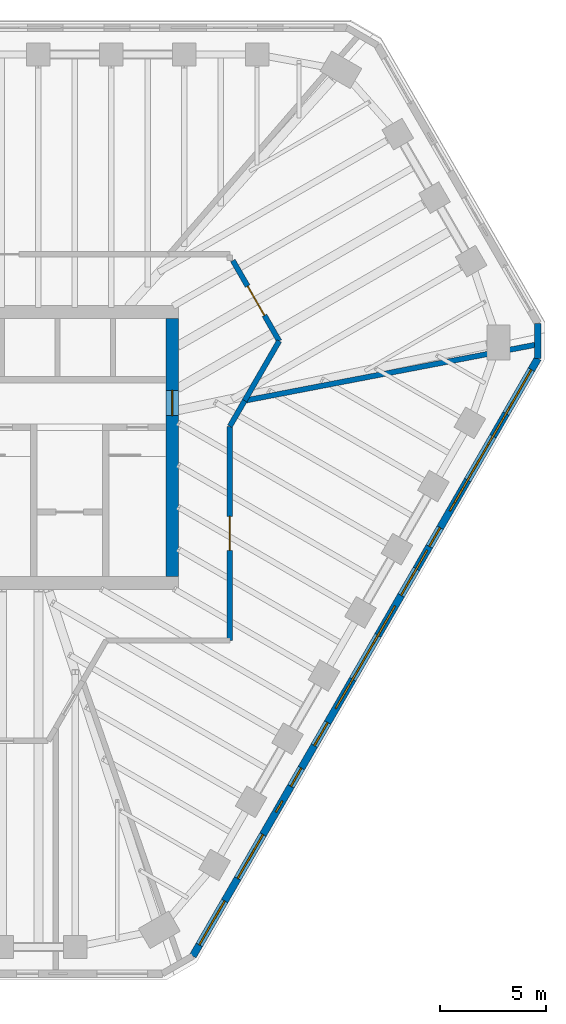
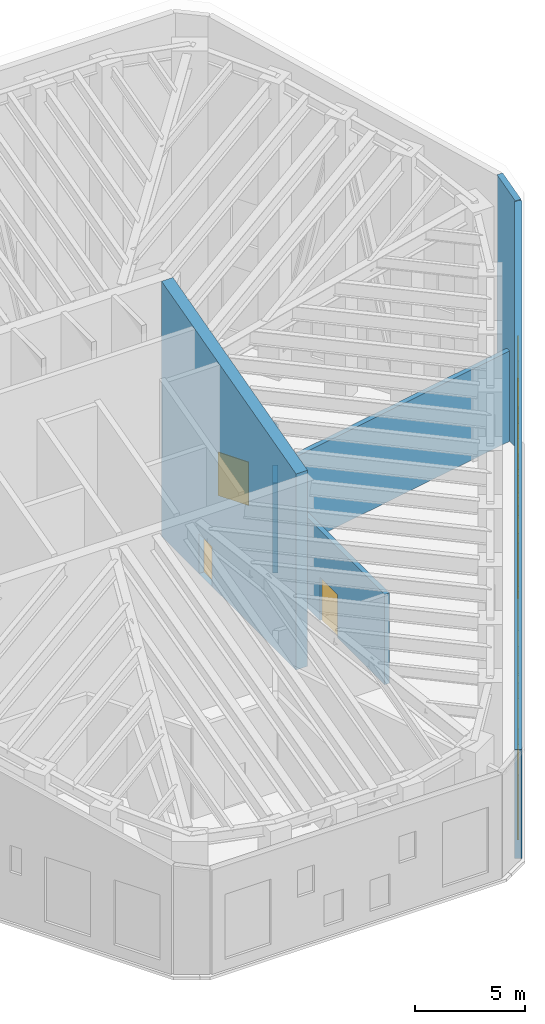
# One storey, part 6 of 9: 16 windows, 8 walls, 3 doors, 19 openings.
"""IFC4 building model written with IfcOpenShell, lengths in metres."""

from ifc_helpers import new_model, si_unit, direction, frame, frame_2d, origin, place, context, subcontext, project, spatial, polyline, rectangle, outline, extrude, material, layer, layer_set, type_object, element, fill, save


model = new_model("IFC4")

# Units and contexts
model_context = context("Model", 3, precision=1e-05, world=origin(), true_north=direction((0.0, 1.0)))
body_context = subcontext(model_context, "Body", "Model", "MODEL_VIEW")
ifc_project = project(units=[si_unit("LENGTHUNIT", "METRE"), si_unit("AREAUNIT", "SQUARE_METRE"), si_unit("VOLUMEUNIT", "CUBIC_METRE"), si_unit("PLANEANGLEUNIT", "RADIAN"), si_unit("MASSUNIT", "GRAM", prefix="KILO")], contexts=[model_context])

# Site, building, storey
site_placement = place(None, origin())
site = spatial("IfcSite", under=ifc_project, at=site_placement, CompositionType="ELEMENT")
building_placement = place(site_placement, origin())
building = spatial("IfcBuilding", under=site, at=building_placement, Name="Sandreach Pilgrim Tower", CompositionType="ELEMENT")
storey_placement = place(building_placement, frame((0.0, 0.0, 298.800048828125)))
storey = spatial("IfcBuildingStorey", under=building, at=storey_placement, Name="L75", CompositionType="ELEMENT", Elevation=298.800048828125)

# Wall, opening, door
ifc_material_1 = material(Name="Concrete 10000 psi", Category="concrete")
ifc_layer_1 = layer(ifc_material_1, 0.60009765625)
ifc_layer_set_1 = layer_set([ifc_layer_1], Name="Core wall 600")
wall_type_1 = type_object("IfcWallType", Name="Core wall 600", PredefinedType="SHEAR", material=ifc_layer_set_1)
wall_1_placement = place(storey_placement, frame((8.050048828125, -6.10009765625, 0.0), z_axis=(0.0, 0.0, 1.0), x_axis=(0.0, 1.0, 0.0)))
wall_1 = element("IfcWall", 1, at=wall_1_placement, inside=storey, type_object=wall_type_1, Name="Core wall E L75", PredefinedType="SHEAR", context=body_context, shape_type="SweptSolid", body=[
    extrude(outline(polyline([(0.0, 0.0), (12.2001953125, 0.0), (12.199951171875, 14.11669921875), (0.0, 10.84765625), (0.0, 0.0)])), frame((0.0, 0.300048828125, 0.0), z_axis=(0.0, -1.0, 0.0), x_axis=(1.0, 0.0, 0.0)), (0.0, 0.0, 1.0), 0.60009765625),
])
opening_1_placement = place(wall_1_placement, frame((7.60009765625, 0.0, 0.0)))
opening_1 = element("IfcOpeningElement", 2, at=opening_1_placement, cuts=wall_1, Name="Opening D12F-E", PredefinedType="OPENING", context=body_context, shape_type="SweptSolid", body=[
    extrude(rectangle(XDim=1.199951171875, YDim=2.199951171875, at=frame_2d((0.60009765625, 1.10009765625))), frame((0.0, 0.300048828125, 0.0), z_axis=(0.0, -1.0, 0.0), x_axis=(1.0, 0.0, 0.0)), (0.0, 0.0, 1.0), 0.60009765625),
])
ifc_material_2 = material(Name="Steel door and frame", Category="steel")
door_type_1 = type_object("IfcDoorType", Name="Fire lobby door", OperationType="SINGLE_SWING_LEFT", PredefinedType="DOOR", material=ifc_material_2)
door_1_placement = place(opening_1_placement, origin())
door_1 = element("IfcDoor", 3, at=door_1_placement, inside=storey, type_object=door_type_1, Name="Fire service lobby door E L75", OperationType="SINGLE_SWING_RIGHT", OverallHeight=2.199951171875, OverallWidth=1.199951171875, PredefinedType="DOOR", context=body_context, shape_type="SweptSolid", body=[
    extrude(rectangle(XDim=1.199951171875, YDim=2.199951171875, at=frame_2d((0.60009765625, 1.10009765625))), frame((0.0, 0.02490234375, 0.0), z_axis=(0.0, -1.0, 0.0), x_axis=(1.0, 0.0, 0.0)), (0.0, 0.0, 1.0), 0.050048828125),
])
fill(opening_1, door_1)

# Wall, openings, windows
ifc_material_3 = material(Name="Terracotta rainscreen on steel studs", Category="masonry")
ifc_layer_2 = layer(ifc_material_3, 0.35009765625)
ifc_layer_set_2 = layer_set([ifc_layer_2], Name="Crown screen wall")
wall_type_2 = type_object("IfcWallType", Name="Crown screen wall", PredefinedType="SOLIDWALL", material=ifc_layer_set_2)
wall_2_placement = place(storey_placement, frame((25.3193359375, 4.20166015625, 0.0), z_axis=(0.0, 0.0, 1.0), x_axis=(-0.499997560549, -0.866026812198, 0.0)))
wall_2 = element("IfcWall", 4, at=wall_2_placement, inside=storey, type_object=wall_type_2, Name="Crown screen wall L75 SE", PredefinedType="SOLIDWALL", context=body_context, shape_type="SweptSolid", body=[
    extrude(outline(polyline([(0.0, 0.0), (32.596923828125, 0.0), (32.5966796875, 6.0205078125), (0.0, 13.58447265625), (0.0, 0.0)])), frame((0.0, 0.175048828125, 0.0), z_axis=(0.0, -1.0, 0.0), x_axis=(1.0, 0.0, 0.0)), (0.0, 0.0, 1.0), 0.35009765625),
])
opening_2_placement = place(wall_2_placement, frame((0.61083984375, 0.0, 0.60009765625)))
opening_2 = element("IfcOpeningElement", 5, at=opening_2_placement, cuts=wall_2, Name="Opening WL2", PredefinedType="OPENING", context=body_context, shape_type="SweptSolid", body=[
    extrude(rectangle(XDim=2.39990234375, YDim=3.60009765625, at=frame_2d((1.199951171875, 1.800048828125))), frame((0.0, 0.18505859375, 0.0), z_axis=(0.0, -1.0, 0.0), x_axis=(1.0, 0.0, 0.0)), (0.0, 0.0, 1.0), 0.3701171875),
])
opening_3_placement = place(wall_2_placement, frame((4.23291015625, 0.0, 0.60009765625)))
opening_3 = element("IfcOpeningElement", 6, at=opening_3_placement, cuts=wall_2, Name="Opening WL2", PredefinedType="OPENING", context=body_context, shape_type="SweptSolid", body=[
    extrude(rectangle(XDim=2.39990234375, YDim=3.60009765625, at=frame_2d((1.199951171875, 1.800048828125))), frame((0.0, 0.18505859375, 0.0), z_axis=(0.0, -1.0, 0.0), x_axis=(1.0, 0.0, 0.0)), (0.0, 0.0, 1.0), 0.3701171875),
])
opening_4_placement = place(wall_2_placement, frame((7.85498046875, 0.0, 3.0048828125)))
opening_4 = element("IfcOpeningElement", 7, at=opening_4_placement, cuts=wall_2, Name="Opening WL2", PredefinedType="OPENING", context=body_context, shape_type="SweptSolid", body=[
    extrude(rectangle(XDim=0.4560546875, YDim=1.195068359375, at=frame_2d((0.22802734375, 0.59765625))), frame((0.0, 0.18505859375, 0.0), z_axis=(0.0, -1.0, 0.0), x_axis=(1.0, 0.0, 0.0)), (0.0, 0.0, 1.0), 0.3701171875),
])
opening_5_placement = place(wall_2_placement, frame((9.22998046875, 0.0, 0.60107421875)))
opening_5 = element("IfcOpeningElement", 8, at=opening_5_placement, cuts=wall_2, Name="Opening WL2", PredefinedType="OPENING", context=body_context, shape_type="SweptSolid", body=[
    extrude(rectangle(XDim=1.02392578125, YDim=3.2490234375, at=frame_2d((0.511962890625, 1.62451171875))), frame((0.0, 0.18505859375, 0.0), z_axis=(0.0, -1.0, 0.0), x_axis=(1.0, 0.0, 0.0)), (0.0, 0.0, 1.0), 0.3701171875),
])
opening_6_placement = place(wall_2_placement, frame((11.47705078125, 0.0, 0.60107421875)))
opening_6 = element("IfcOpeningElement", 9, at=opening_6_placement, cuts=wall_2, Name="Opening WL2", PredefinedType="OPENING", context=body_context, shape_type="SweptSolid", body=[
    extrude(rectangle(XDim=1.444091796875, YDim=3.59912109375, at=frame_2d((0.72216796875, 1.799560546875))), frame((0.0, 0.18505859375, 0.0), z_axis=(0.0, -1.0, 0.0), x_axis=(1.0, 0.0, 0.0)), (0.0, 0.0, 1.0), 0.3701171875),
])
opening_7_placement = place(wall_2_placement, frame((15.098388671875, 0.0, 0.60009765625)))
opening_7 = element("IfcOpeningElement", 10, at=opening_7_placement, cuts=wall_2, Name="Opening WL2", PredefinedType="OPENING", context=body_context, shape_type="SweptSolid", body=[
    extrude(rectangle(XDim=2.39990234375, YDim=3.60009765625, at=frame_2d((1.199951171875, 1.800048828125))), frame((0.0, 0.18505859375, 0.0), z_axis=(0.0, -1.0, 0.0), x_axis=(1.0, 0.0, 0.0)), (0.0, 0.0, 1.0), 0.3701171875),
])
opening_8_placement = place(wall_2_placement, frame((19.85791015625, 0.0, 0.60107421875)))
opening_8 = element("IfcOpeningElement", 11, at=opening_8_placement, cuts=wall_2, Name="Opening WL2", PredefinedType="OPENING", context=body_context, shape_type="SweptSolid", body=[
    extrude(rectangle(XDim=1.261962890625, YDim=3.09912109375, at=frame_2d((0.630859375, 1.549560546875))), frame((0.0, 0.18505859375, 0.0), z_axis=(0.0, -1.0, 0.0), x_axis=(1.0, 0.0, 0.0)), (0.0, 0.0, 1.0), 0.3701171875),
])
opening_9_placement = place(wall_2_placement, frame((22.343017578125, 0.0, 0.60107421875)))
opening_9 = element("IfcOpeningElement", 12, at=opening_9_placement, cuts=wall_2, Name="Opening WL2", PredefinedType="OPENING", context=body_context, shape_type="SweptSolid", body=[
    extrude(rectangle(XDim=0.993896484375, YDim=2.448974609375, at=frame_2d((0.4970703125, 1.224609375))), frame((0.0, 0.18505859375, 0.0), z_axis=(0.0, -1.0, 0.0), x_axis=(1.0, 0.0, 0.0)), (0.0, 0.0, 1.0), 0.3701171875),
])
opening_10_placement = place(wall_2_placement, frame((24.14208984375, 0.0, 2.719970703125)))
opening_10 = element("IfcOpeningElement", 13, at=opening_10_placement, cuts=wall_2, Name="Opening WL2", PredefinedType="OPENING", context=body_context, shape_type="SweptSolid", body=[
    extrude(rectangle(XDim=0.60009765625, YDim=1.47998046875, at=frame_2d((0.300048828125, 0.739990234375))), frame((0.0, 0.18505859375, 0.0), z_axis=(0.0, -1.0, 0.0), x_axis=(1.0, 0.0, 0.0)), (0.0, 0.0, 1.0), 0.3701171875),
])
opening_11_placement = place(wall_2_placement, frame((25.9638671875, 0.0, 0.60009765625)))
opening_11 = element("IfcOpeningElement", 14, at=opening_11_placement, cuts=wall_2, Name="Opening WL2", PredefinedType="OPENING", context=body_context, shape_type="SweptSolid", body=[
    extrude(rectangle(XDim=2.39990234375, YDim=3.60009765625, at=frame_2d((1.199951171875, 1.800048828125))), frame((0.0, 0.18505859375, 0.0), z_axis=(0.0, -1.0, 0.0), x_axis=(1.0, 0.0, 0.0)), (0.0, 0.0, 1.0), 0.3701171875),
])
opening_12_placement = place(wall_2_placement, frame((29.5859375, 0.0, 0.60009765625)))
opening_12 = element("IfcOpeningElement", 15, at=opening_12_placement, cuts=wall_2, Name="Opening WL2", PredefinedType="OPENING", context=body_context, shape_type="SweptSolid", body=[
    extrude(rectangle(XDim=2.39990234375, YDim=3.60009765625, at=frame_2d((1.199951171875, 1.800048828125))), frame((0.0, 0.18505859375, 0.0), z_axis=(0.0, -1.0, 0.0), x_axis=(1.0, 0.0, 0.0)), (0.0, 0.0, 1.0), 0.3701171875),
])
opening_13_placement = place(wall_2_placement, frame((2.698486328125, 0.0, 5.60009765625)))
opening_13 = element("IfcOpeningElement", 16, at=opening_13_placement, cuts=wall_2, Name="Opening WL1", PredefinedType="OPENING", context=body_context, shape_type="SweptSolid", body=[
    extrude(rectangle(XDim=2.0, YDim=2.39990234375, at=frame_2d((1.0, 1.199951171875))), frame((0.0, 0.18505859375, 0.0), z_axis=(0.0, -1.0, 0.0), x_axis=(1.0, 0.0, 0.0)), (0.0, 0.0, 1.0), 0.3701171875),
])
opening_14_placement = place(wall_2_placement, frame((6.29833984375, 0.0, 5.60009765625)))
opening_14 = element("IfcOpeningElement", 17, at=opening_14_placement, cuts=wall_2, Name="Opening WL1", PredefinedType="OPENING", context=body_context, shape_type="SweptSolid", body=[
    extrude(rectangle(XDim=2.0, YDim=2.39990234375, at=frame_2d((1.0, 1.199951171875))), frame((0.0, 0.18505859375, 0.0), z_axis=(0.0, -1.0, 0.0), x_axis=(1.0, 0.0, 0.0)), (0.0, 0.0, 1.0), 0.3701171875),
])
opening_15_placement = place(wall_2_placement, frame((10.45703125, 0.0, 5.60107421875)))
opening_15 = element("IfcOpeningElement", 18, at=opening_15_placement, cuts=wall_2, Name="Opening WL1", PredefinedType="OPENING", context=body_context, shape_type="SweptSolid", body=[
    extrude(rectangle(XDim=1.347900390625, YDim=2.1240234375, at=frame_2d((0.673828125, 1.06201171875))), frame((0.0, 0.18505859375, 0.0), z_axis=(0.0, -1.0, 0.0), x_axis=(1.0, 0.0, 0.0)), (0.0, 0.0, 1.0), 0.3701171875),
])
opening_16_placement = place(wall_2_placement, frame((13.498291015625, 0.0, 5.60009765625)))
opening_16 = element("IfcOpeningElement", 19, at=opening_16_placement, cuts=wall_2, Name="Opening WL1", PredefinedType="OPENING", context=body_context, shape_type="SweptSolid", body=[
    extrude(rectangle(XDim=2.0, YDim=2.39990234375, at=frame_2d((1.0, 1.199951171875))), frame((0.0, 0.18505859375, 0.0), z_axis=(0.0, -1.0, 0.0), x_axis=(1.0, 0.0, 0.0)), (0.0, 0.0, 1.0), 0.3701171875),
])
opening_17_placement = place(wall_2_placement, frame((17.098388671875, 0.0, 5.60009765625)))
opening_17 = element("IfcOpeningElement", 20, at=opening_17_placement, cuts=wall_2, Name="Opening WL1", PredefinedType="OPENING", context=body_context, shape_type="SweptSolid", body=[
    extrude(rectangle(XDim=2.0, YDim=2.39990234375, at=frame_2d((1.0, 1.199951171875))), frame((0.0, 0.18505859375, 0.0), z_axis=(0.0, -1.0, 0.0), x_axis=(1.0, 0.0, 0.0)), (0.0, 0.0, 1.0), 0.3701171875),
])
ifc_material_4 = material(Name="Aluminium weather louvre", Category="aluminium")
window_type_1 = type_object("IfcWindowType", Name="Crown louvre window", PartitioningType="SINGLE_PANEL", PredefinedType="WINDOW", material=ifc_material_4)
window_1_placement = place(opening_13_placement, origin())
window_1 = element("IfcWindow", 21, at=window_1_placement, inside=storey, type_object=window_type_1, Name="Crown louvre SE 1", OverallHeight=2.39990234375, OverallWidth=2.0, PartitioningType="SINGLE_PANEL", PredefinedType="WINDOW", context=body_context, shape_type="SweptSolid", body=[
    extrude(rectangle(XDim=2.0, YDim=2.39990234375, at=frame_2d((1.0, 1.199951171875))), frame((0.0, 0.030029296875, 0.0), z_axis=(0.0, -1.0, 0.0), x_axis=(1.0, 0.0, 0.0)), (0.0, 0.0, 1.0), 0.06005859375),
])
fill(opening_13, window_1)
window_2_placement = place(opening_14_placement, origin())
window_2 = element("IfcWindow", 22, at=window_2_placement, inside=storey, type_object=window_type_1, Name="Crown louvre SE 2", OverallHeight=2.39990234375, OverallWidth=2.0, PartitioningType="SINGLE_PANEL", PredefinedType="WINDOW", context=body_context, shape_type="SweptSolid", body=[
    extrude(rectangle(XDim=2.0, YDim=2.39990234375, at=frame_2d((1.0, 1.199951171875))), frame((0.0, 0.030029296875, 0.0), z_axis=(0.0, -1.0, 0.0), x_axis=(1.0, 0.0, 0.0)), (0.0, 0.0, 1.0), 0.06005859375),
])
fill(opening_14, window_2)
window_3_placement = place(opening_15_placement, origin())
window_3 = element("IfcWindow", 23, at=window_3_placement, inside=storey, type_object=window_type_1, Name="Crown louvre SE 3", OverallHeight=2.1240234375, OverallWidth=1.347900390625, PartitioningType="SINGLE_PANEL", PredefinedType="WINDOW", context=body_context, shape_type="SweptSolid", body=[
    extrude(rectangle(XDim=1.347900390625, YDim=2.1240234375, at=frame_2d((0.673828125, 1.06201171875))), frame((0.0, 0.030029296875, 0.0), z_axis=(0.0, -1.0, 0.0), x_axis=(1.0, 0.0, 0.0)), (0.0, 0.0, 1.0), 0.06005859375),
])
fill(opening_15, window_3)
window_4_placement = place(opening_16_placement, origin())
window_4 = element("IfcWindow", 24, at=window_4_placement, inside=storey, type_object=window_type_1, Name="Crown louvre SE 4", OverallHeight=2.39990234375, OverallWidth=2.0, PartitioningType="SINGLE_PANEL", PredefinedType="WINDOW", context=body_context, shape_type="SweptSolid", body=[
    extrude(rectangle(XDim=2.0, YDim=2.39990234375, at=frame_2d((1.0, 1.199951171875))), frame((0.0, 0.030029296875, 0.0), z_axis=(0.0, -1.0, 0.0), x_axis=(1.0, 0.0, 0.0)), (0.0, 0.0, 1.0), 0.06005859375),
])
fill(opening_16, window_4)
window_5_placement = place(opening_17_placement, origin())
window_5 = element("IfcWindow", 25, at=window_5_placement, inside=storey, type_object=window_type_1, Name="Crown louvre SE 5", OverallHeight=2.39990234375, OverallWidth=2.0, PartitioningType="SINGLE_PANEL", PredefinedType="WINDOW", context=body_context, shape_type="SweptSolid", body=[
    extrude(rectangle(XDim=2.0, YDim=2.39990234375, at=frame_2d((1.0, 1.199951171875))), frame((0.0, 0.030029296875, 0.0), z_axis=(0.0, -1.0, 0.0), x_axis=(1.0, 0.0, 0.0)), (0.0, 0.0, 1.0), 0.06005859375),
])
fill(opening_17, window_5)
ifc_material_5 = material(Name="Aluminium weather louvre", Category="aluminium")
window_type_2 = type_object("IfcWindowType", Name="Plant louvre window", PartitioningType="SINGLE_PANEL", PredefinedType="WINDOW", material=ifc_material_5)
window_6_placement = place(opening_2_placement, origin())
window_6 = element("IfcWindow", 26, at=window_6_placement, inside=storey, type_object=window_type_2, Name="Plant louvre SE 1", OverallHeight=3.60009765625, OverallWidth=2.39990234375, PartitioningType="SINGLE_PANEL", PredefinedType="WINDOW", context=body_context, shape_type="SweptSolid", body=[
    extrude(rectangle(XDim=2.39990234375, YDim=3.60009765625, at=frame_2d((1.199951171875, 1.800048828125))), frame((0.0, 0.030029296875, 0.0), z_axis=(0.0, -1.0, 0.0), x_axis=(1.0, 0.0, 0.0)), (0.0, 0.0, 1.0), 0.06005859375),
])
fill(opening_2, window_6)
window_7_placement = place(opening_3_placement, origin())
window_7 = element("IfcWindow", 27, at=window_7_placement, inside=storey, type_object=window_type_2, Name="Plant louvre SE 2", OverallHeight=3.60009765625, OverallWidth=2.39990234375, PartitioningType="SINGLE_PANEL", PredefinedType="WINDOW", context=body_context, shape_type="SweptSolid", body=[
    extrude(rectangle(XDim=2.39990234375, YDim=3.60009765625, at=frame_2d((1.199951171875, 1.800048828125))), frame((0.0, 0.030029296875, 0.0), z_axis=(0.0, -1.0, 0.0), x_axis=(1.0, 0.0, 0.0)), (0.0, 0.0, 1.0), 0.06005859375),
])
fill(opening_3, window_7)
window_8_placement = place(opening_4_placement, origin())
window_8 = element("IfcWindow", 28, at=window_8_placement, inside=storey, type_object=window_type_2, Name="Plant louvre SE 3 (b)", OverallHeight=1.195068359375, OverallWidth=0.4560546875, PartitioningType="SINGLE_PANEL", PredefinedType="WINDOW", context=body_context, shape_type="SweptSolid", body=[
    extrude(rectangle(XDim=0.4560546875, YDim=1.195068359375, at=frame_2d((0.22802734375, 0.59765625))), frame((0.0, 0.030029296875, 0.0), z_axis=(0.0, -1.0, 0.0), x_axis=(1.0, 0.0, 0.0)), (0.0, 0.0, 1.0), 0.06005859375),
])
fill(opening_4, window_8)
window_9_placement = place(opening_5_placement, origin())
window_9 = element("IfcWindow", 29, at=window_9_placement, inside=storey, type_object=window_type_2, Name="Plant louvre SE 3", OverallHeight=3.2490234375, OverallWidth=1.02392578125, PartitioningType="SINGLE_PANEL", PredefinedType="WINDOW", context=body_context, shape_type="SweptSolid", body=[
    extrude(rectangle(XDim=1.02392578125, YDim=3.2490234375, at=frame_2d((0.511962890625, 1.62451171875))), frame((0.0, 0.030029296875, 0.0), z_axis=(0.0, -1.0, 0.0), x_axis=(1.0, 0.0, 0.0)), (0.0, 0.0, 1.0), 0.06005859375),
])
fill(opening_5, window_9)
window_10_placement = place(opening_6_placement, origin())
window_10 = element("IfcWindow", 30, at=window_10_placement, inside=storey, type_object=window_type_2, Name="Plant louvre SE 4", OverallHeight=3.59912109375, OverallWidth=1.444091796875, PartitioningType="SINGLE_PANEL", PredefinedType="WINDOW", context=body_context, shape_type="SweptSolid", body=[
    extrude(rectangle(XDim=1.444091796875, YDim=3.59912109375, at=frame_2d((0.72216796875, 1.799560546875))), frame((0.0, 0.030029296875, 0.0), z_axis=(0.0, -1.0, 0.0), x_axis=(1.0, 0.0, 0.0)), (0.0, 0.0, 1.0), 0.06005859375),
])
fill(opening_6, window_10)
window_11_placement = place(opening_7_placement, origin())
window_11 = element("IfcWindow", 31, at=window_11_placement, inside=storey, type_object=window_type_2, Name="Plant louvre SE 5", OverallHeight=3.60009765625, OverallWidth=2.39990234375, PartitioningType="SINGLE_PANEL", PredefinedType="WINDOW", context=body_context, shape_type="SweptSolid", body=[
    extrude(rectangle(XDim=2.39990234375, YDim=3.60009765625, at=frame_2d((1.199951171875, 1.800048828125))), frame((0.0, 0.030029296875, 0.0), z_axis=(0.0, -1.0, 0.0), x_axis=(1.0, 0.0, 0.0)), (0.0, 0.0, 1.0), 0.06005859375),
])
fill(opening_7, window_11)
window_12_placement = place(opening_8_placement, origin())
window_12 = element("IfcWindow", 32, at=window_12_placement, inside=storey, type_object=window_type_2, Name="Plant louvre SE 6", OverallHeight=3.09912109375, OverallWidth=1.261962890625, PartitioningType="SINGLE_PANEL", PredefinedType="WINDOW", context=body_context, shape_type="SweptSolid", body=[
    extrude(rectangle(XDim=1.261962890625, YDim=3.09912109375, at=frame_2d((0.630859375, 1.549560546875))), frame((0.0, 0.030029296875, 0.0), z_axis=(0.0, -1.0, 0.0), x_axis=(1.0, 0.0, 0.0)), (0.0, 0.0, 1.0), 0.06005859375),
])
fill(opening_8, window_12)
window_13_placement = place(opening_9_placement, origin())
window_13 = element("IfcWindow", 33, at=window_13_placement, inside=storey, type_object=window_type_2, Name="Plant louvre SE 7", OverallHeight=2.448974609375, OverallWidth=0.993896484375, PartitioningType="SINGLE_PANEL", PredefinedType="WINDOW", context=body_context, shape_type="SweptSolid", body=[
    extrude(rectangle(XDim=0.993896484375, YDim=2.448974609375, at=frame_2d((0.4970703125, 1.224609375))), frame((0.0, 0.030029296875, 0.0), z_axis=(0.0, -1.0, 0.0), x_axis=(1.0, 0.0, 0.0)), (0.0, 0.0, 1.0), 0.06005859375),
])
fill(opening_9, window_13)
window_14_placement = place(opening_10_placement, origin())
window_14 = element("IfcWindow", 34, at=window_14_placement, inside=storey, type_object=window_type_2, Name="Plant louvre SE 7 (b)", OverallHeight=1.47998046875, OverallWidth=0.60009765625, PartitioningType="SINGLE_PANEL", PredefinedType="WINDOW", context=body_context, shape_type="SweptSolid", body=[
    extrude(rectangle(XDim=0.60009765625, YDim=1.47998046875, at=frame_2d((0.300048828125, 0.739990234375))), frame((0.0, 0.030029296875, 0.0), z_axis=(0.0, -1.0, 0.0), x_axis=(1.0, 0.0, 0.0)), (0.0, 0.0, 1.0), 0.06005859375),
])
fill(opening_10, window_14)
window_15_placement = place(opening_11_placement, origin())
window_15 = element("IfcWindow", 35, at=window_15_placement, inside=storey, type_object=window_type_2, Name="Plant louvre SE 8", OverallHeight=3.60009765625, OverallWidth=2.39990234375, PartitioningType="SINGLE_PANEL", PredefinedType="WINDOW", context=body_context, shape_type="SweptSolid", body=[
    extrude(rectangle(XDim=2.39990234375, YDim=3.60009765625, at=frame_2d((1.199951171875, 1.800048828125))), frame((0.0, 0.030029296875, 0.0), z_axis=(0.0, -1.0, 0.0), x_axis=(1.0, 0.0, 0.0)), (0.0, 0.0, 1.0), 0.06005859375),
])
fill(opening_11, window_15)
window_16_placement = place(opening_12_placement, origin())
window_16 = element("IfcWindow", 36, at=window_16_placement, inside=storey, type_object=window_type_2, Name="Plant louvre SE 9", OverallHeight=3.60009765625, OverallWidth=2.39990234375, PartitioningType="SINGLE_PANEL", PredefinedType="WINDOW", context=body_context, shape_type="SweptSolid", body=[
    extrude(rectangle(XDim=2.39990234375, YDim=3.60009765625, at=frame_2d((1.199951171875, 1.800048828125))), frame((0.0, 0.030029296875, 0.0), z_axis=(0.0, -1.0, 0.0), x_axis=(1.0, 0.0, 0.0)), (0.0, 0.0, 1.0), 0.06005859375),
])
fill(opening_12, window_16)

# Wall, opening, door
ifc_material_6 = material(Name="Acoustic gypsum board wall, double frame", Category="gypsum")
ifc_layer_3 = layer(ifc_material_6, 0.25)
ifc_layer_set_3 = layer_set([ifc_layer_3], Name="Hall partition 250")
wall_type_3 = type_object("IfcWallType", Name="Hall partition 250", PredefinedType="PARTITIONING", material=ifc_layer_set_3)
wall_3_placement = place(storey_placement, frame((10.77001953125, -9.1201171875, 0.0), z_axis=(0.0, 0.0, 1.0), x_axis=(0.0, 1.0, 0.0)))
wall_3 = element("IfcWall", 37, at=wall_3_placement, inside=storey, type_object=wall_type_3, Name="Hall partition L75-022", PredefinedType="PARTITIONING", context=body_context, shape_type="SweptSolid", body=[
    extrude(rectangle(XDim=10.1201171875, YDim=0.25, at=frame_2d((5.06005859375, 0.0))), origin(), (0.0, 0.0, 1.0), 5.0),
])
opening_18_placement = place(wall_3_placement, frame((4.260009765625, 0.0, 0.0)))
opening_18 = element("IfcOpeningElement", 38, at=opening_18_placement, cuts=wall_3, Name="Opening D16-03", PredefinedType="OPENING", context=body_context, shape_type="SweptSolid", body=[
    extrude(rectangle(XDim=1.60009765625, YDim=2.39990234375, at=frame_2d((0.800048828125, 1.199951171875))), frame((0.0, 0.125, 0.0), z_axis=(0.0, -1.0, 0.0), x_axis=(1.0, 0.0, 0.0)), (0.0, 0.0, 1.0), 0.25),
])
ifc_material_7 = material(Name="Steel door and frame", Category="steel")
door_type_2 = type_object("IfcDoorType", Name="Hall double door", OperationType="DOUBLE_DOOR_SINGLE_SWING", PredefinedType="DOOR", material=ifc_material_7)
door_2_placement = place(opening_18_placement, origin())
door_2 = element("IfcDoor", 39, at=door_2_placement, inside=storey, type_object=door_type_2, Name="Door 7503", OperationType="DOUBLE_DOOR_SINGLE_SWING", OverallHeight=2.39990234375, OverallWidth=1.60009765625, PredefinedType="DOOR", context=body_context, shape_type="SweptSolid", body=[
    extrude(rectangle(XDim=1.60009765625, YDim=2.39990234375, at=frame_2d((0.800048828125, 1.199951171875))), frame((0.0, 0.02490234375, 0.0), z_axis=(0.0, -1.0, 0.0), x_axis=(1.0, 0.0, 0.0)), (0.0, 0.0, 1.0), 0.050048828125),
])
fill(opening_18, door_2)

# Wall
wall_4_placement = place(storey_placement, frame((10.77001953125, 1.0, 0.0), z_axis=(0.0, 0.0, 1.0), x_axis=(0.50074019483, 0.865597630127, 0.0)))
element("IfcWall", 40, at=wall_4_placement, inside=storey, type_object=wall_type_3, Name="Hall partition L75-023", PredefinedType="PARTITIONING", context=body_context, shape_type="SweptSolid", body=[
    extrude(rectangle(XDim=1.39794921875, YDim=0.25, at=frame_2d((0.698974609375, 0.0))), origin(), (0.0, 0.0, 1.0), 5.0),
])

# Wall, opening, door
wall_5_placement = place(storey_placement, frame((13.10009765625, 5.030029296875, 0.0), z_axis=(0.0, 0.0, 1.0), x_axis=(-0.499354574138, 0.866397720038, 0.0)))
wall_5 = element("IfcWall", 41, at=wall_5_placement, inside=storey, type_object=wall_type_3, Name="Hall partition L75-026", PredefinedType="PARTITIONING", context=body_context, shape_type="SweptSolid", body=[
    extrude(rectangle(XDim=4.385986328125, YDim=0.25, at=frame_2d((2.19287109375, 0.0))), origin(), (0.0, 0.0, 1.0), 5.0),
])
opening_19_placement = place(wall_5_placement, frame((1.39306640625, 0.0, 0.0)))
opening_19 = element("IfcOpeningElement", 42, at=opening_19_placement, cuts=wall_5, Name="Opening D16-02", PredefinedType="OPENING", context=body_context, shape_type="SweptSolid", body=[
    extrude(rectangle(XDim=1.60009765625, YDim=2.39990234375, at=frame_2d((0.800048828125, 1.199951171875))), frame((0.0, 0.125, 0.0), z_axis=(0.0, -1.0, 0.0), x_axis=(1.0, 0.0, 0.0)), (0.0, 0.0, 1.0), 0.25),
])
door_3_placement = place(opening_19_placement, origin())
door_3 = element("IfcDoor", 43, at=door_3_placement, inside=storey, type_object=door_type_2, Name="Door 7502", OperationType="DOUBLE_DOOR_SINGLE_SWING", OverallHeight=2.39990234375, OverallWidth=1.60009765625, PredefinedType="DOOR", context=body_context, shape_type="SweptSolid", body=[
    extrude(rectangle(XDim=1.60009765625, YDim=2.39990234375, at=frame_2d((0.800048828125, 1.199951171875))), frame((0.0, 0.02490234375, 0.0), z_axis=(0.0, -1.0, 0.0), x_axis=(1.0, 0.0, 0.0)), (0.0, 0.0, 1.0), 0.050048828125),
])
fill(opening_19, door_3)

# Walls
wall_6_placement = place(storey_placement, frame((13.10009765625, 5.030029296875, 0.0), z_axis=(0.0, 0.0, 1.0), x_axis=(-0.500539815233, -0.865713516913, 0.0)))
element("IfcWall", 44, at=wall_6_placement, inside=storey, type_object=wall_type_3, Name="Hall partition L75-027", PredefinedType="PARTITIONING", context=body_context, shape_type="SweptSolid", body=[
    extrude(rectangle(XDim=3.25732421875, YDim=0.25, at=frame_2d((1.628662109375, 0.0))), origin(), (0.0, 0.0, 1.0), 5.0),
])
wall_7_placement = place(storey_placement, frame((25.183349609375, 4.84423828125, 0.0), z_axis=(0.0, 0.0, 1.0), x_axis=(-0.982045084521, -0.188646367491, 0.0)))
element("IfcWall", 45, at=wall_7_placement, inside=storey, type_object=wall_type_3, Name="Hall partition L75-029", PredefinedType="PARTITIONING", context=body_context, shape_type="SweptSolid", body=[
    extrude(rectangle(XDim=13.964111328125, YDim=0.25, at=frame_2d((6.98193359375, 0.0))), origin(), (0.0, 0.0, 1.0), 5.0),
])
ifc_material_8 = material(Name="Terracotta rainscreen on concrete", Category="masonry")
ifc_layer_4 = layer(ifc_material_8, 0.300048828125)
ifc_layer_set_4 = layer_set([ifc_layer_4], Name="Terracotta chamfer pier")
wall_type_4 = type_object("IfcWallType", Name="Terracotta chamfer pier", PredefinedType="SOLIDWALL", material=ifc_layer_set_4)
wall_8_placement = place(storey_placement, frame((25.3193359375, 5.861572265625, 0.0), z_axis=(0.0, 0.0, 1.0), x_axis=(0.0, -1.0, 0.0)))
element("IfcWall", 46, at=wall_8_placement, inside=storey, type_object=wall_type_4, Name="Chamfer pier L75 NE", PredefinedType="SOLIDWALL", context=body_context, shape_type="SweptSolid", body=[
    extrude(outline(polyline([(0.0, 0.0), (1.659912109375, 0.0), (1.659912109375, 13.60791015625), (0.0, 14.052734375), (0.0, 0.0)])), frame((0.0, 0.14990234375, 0.0), z_axis=(0.0, -1.0, 0.0), x_axis=(1.0, 0.0, 0.0)), (0.0, 0.0, 1.0), 0.300048828125),
])

save(model, "model.ifc")
